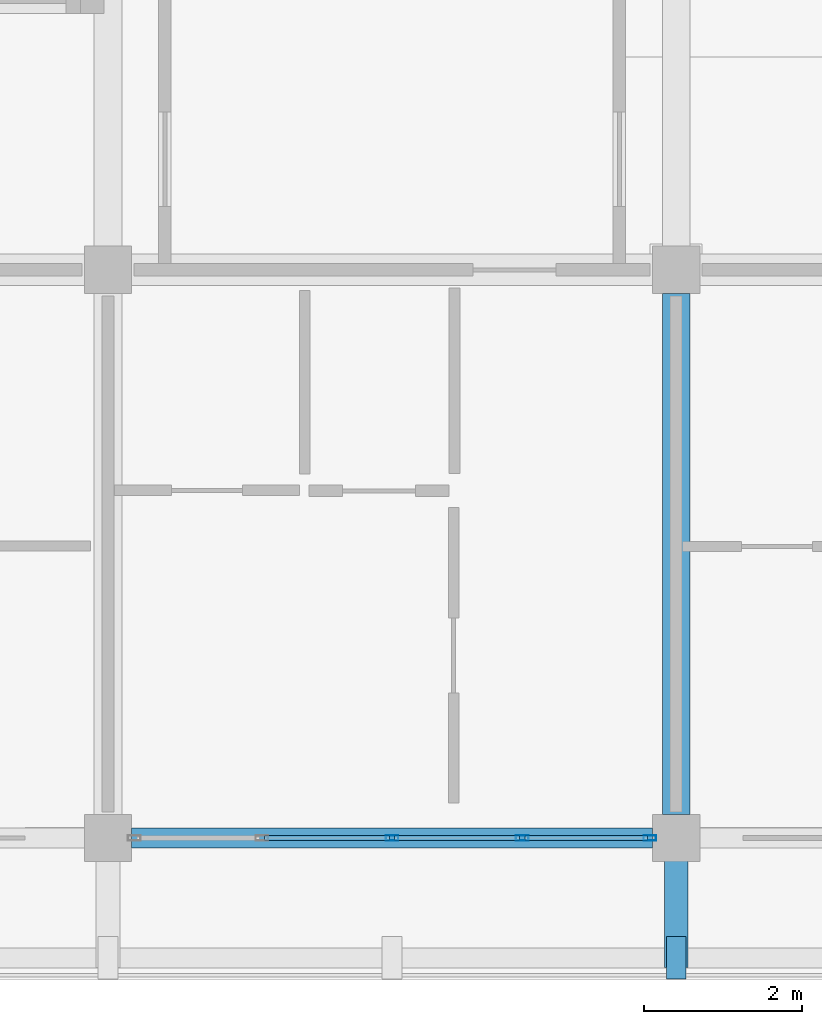
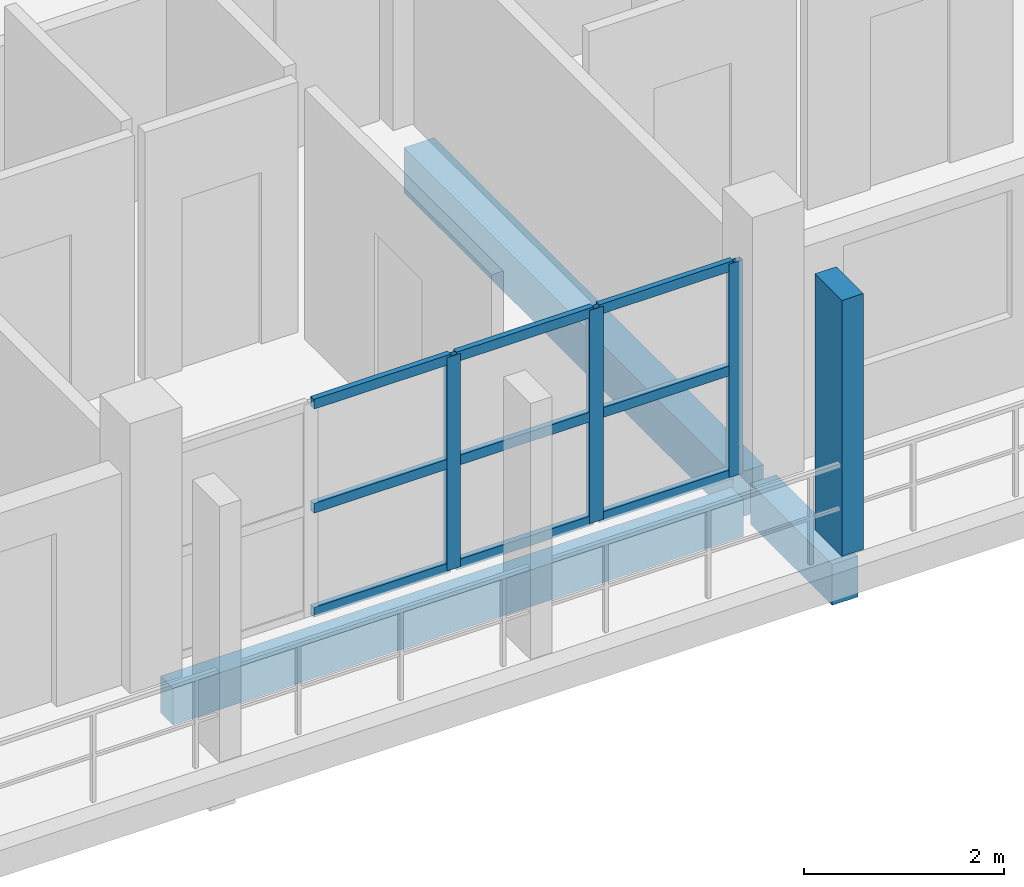
# One storey, part 26 of 75: 13 members, 3 beams, 1 element without a shape of its own.
"""IFC4 building model written with IfcOpenShell, lengths in metres."""

from ifc_helpers import new_model, si_unit, direction, frame, origin, origin_2d, place, context, subcontext, project, spatial, rectangle, hollow_rectangle, extrude, material, material_profile, profile_set, type_object, element, aggregate, save


model = new_model("IFC4")

# Units and contexts
model_context = context("Model", 3, precision=1e-05, world=origin(), true_north=direction((0.0, 1.0)))
body_context = subcontext(model_context, "Body", "Model", "MODEL_VIEW")
ifc_project = project(units=[si_unit("LENGTHUNIT", "METRE"), si_unit("AREAUNIT", "SQUARE_METRE"), si_unit("VOLUMEUNIT", "CUBIC_METRE"), si_unit("PLANEANGLEUNIT", "RADIAN"), si_unit("MASSUNIT", "GRAM", prefix="KILO")], contexts=[model_context])

# Site, building, storey
site_placement = place(None, origin())
site = spatial("IfcSite", under=ifc_project, at=site_placement, CompositionType="ELEMENT")
building_placement = place(site_placement, origin())
building = spatial("IfcBuilding", under=site, at=building_placement, Name="Suanplinth Sawtooth Commons", CompositionType="ELEMENT")
storey_placement = place(building_placement, frame((0.0, 0.0, 18.60009765625)))
storey = spatial("IfcBuildingStorey", under=building, at=storey_placement, Name="L05", CompositionType="ELEMENT", Elevation=18.60009765625)

# Beams
ifc_material_1 = material(Name="Precast concrete C40/50", Category="concrete")
ifc_material_profile_1 = material_profile(ifc_material_1, rectangle(XDim=0.35009765625, YDim=0.550048828125, at=origin_2d()), Name="PC-BM 350x550")
ifc_profile_set_1 = profile_set([ifc_material_profile_1], Name="Precast concrete C40/50")
beam_type_1 = type_object("IfcBeamType", Name="B-06", PredefinedType="BEAM", material=ifc_profile_set_1)
beam_1_placement = place(storey_placement, frame((172.800048828125, 0.300048828125, -0.525146484375), z_axis=(0.0, 1.0, 0.0), x_axis=(-1.0, 0.0, 0.0)))
element("IfcBeam", 1, at=beam_1_placement, inside=storey, type_object=beam_type_1, Name="BMY-L05-C-24-0", PredefinedType="BEAM", context=body_context, shape_type="SweptSolid", body=[
    extrude(rectangle(XDim=0.35009765625, YDim=0.550048828125, at=origin_2d()), origin(), (0.0, 0.0, 1.0), 6.599853515625),
])
ifc_material_profile_2 = material_profile(ifc_material_1, rectangle(XDim=0.300048828125, YDim=0.5, at=origin_2d()), Name="PC-BM 300x500")
ifc_profile_set_2 = profile_set([ifc_material_profile_2], Name="Precast concrete C40/50")
beam_type_2 = type_object("IfcBeamType", Name="B-07", PredefinedType="BEAM", material=ifc_profile_set_2)
beam_2_placement = place(storey_placement, frame((172.800048828125, 0.0, -0.43017578125), z_axis=(0.0, -1.0, 0.0), x_axis=(1.0, 0.0, 0.0)))
element("IfcBeam", 2, at=beam_2_placement, inside=storey, type_object=beam_type_2, Name="Balcony Outrigger L05-C-S-24", PredefinedType="BEAM", context=body_context, shape_type="SweptSolid", body=[
    extrude(rectangle(XDim=0.300048828125, YDim=0.5, at=origin_2d()), origin(), (0.0, 0.0, 1.0), 1.639892578125),
])
ifc_material_profile_3 = material_profile(ifc_material_1, rectangle(XDim=0.25, YDim=0.449951171875, at=origin_2d()), Name="PC-SP 250x450")
ifc_profile_set_3 = profile_set([ifc_material_profile_3], Name="Precast concrete C40/50")
beam_type_3 = type_object("IfcBeamType", Name="B-09", PredefinedType="SPANDREL", material=ifc_profile_set_3)
beam_3_placement = place(storey_placement, frame((165.89990234375, 0.0, -0.47509765625), z_axis=(1.0, 0.0, 0.0), x_axis=(0.0, 1.0, 0.0)))
element("IfcBeam", 3, at=beam_3_placement, inside=storey, type_object=beam_type_3, Name="BMX-L05-C-23-0", PredefinedType="SPANDREL", context=body_context, shape_type="SweptSolid", body=[
    extrude(rectangle(XDim=0.25, YDim=0.449951171875, at=origin_2d()), origin(), (0.0, 0.0, 1.0), 6.60009765625),
])

# Member
ifc_material_2 = material(Name="Pigmented precast concrete C40/50", Category="concrete")
ifc_material_profile_4 = material_profile(ifc_material_2, rectangle(XDim=0.25, YDim=0.5400390625, at=origin_2d()), Name="PC-FIN 250x540")
ifc_profile_set_4 = profile_set([ifc_material_profile_4], Name="Pigmented precast concrete C40/50")
member_type_1 = type_object("IfcMemberType", Name="M-11", PredefinedType="USERDEFINED", material=ifc_profile_set_4)
member_1_placement = place(storey_placement, frame((172.800048828125, -1.52001953125, 0.0), z_axis=(0.0, 0.0, 1.0), x_axis=(1.0, 0.0, 0.0)))
element("IfcMember", 4, at=member_1_placement, inside=storey, type_object=member_type_1, Name="Upright Solar Blade L05-C-S-07", ObjectType="SHADING FIN", PredefinedType="USERDEFINED", context=body_context, shape_type="SweptSolid", body=[
    extrude(rectangle(XDim=0.25, YDim=0.5400390625, at=origin_2d()), origin(), (0.0, 0.0, 1.0), 3.1298828125),
])

# Curtain wall, members
ifc_material_3 = material(Name="Anodized aluminium and low-E glazing", Category="aluminium")
curtain_wall_type = type_object("IfcCurtainWallType", Name="CW-06", PredefinedType="USERDEFINED", material=ifc_material_3)
curtain_wall_placement = place(storey_placement, origin())
curtain_wall = element("IfcCurtainWall", 5, at=curtain_wall_placement, inside=storey, type_object=curtain_wall_type, Name="Curtain Wall CW-L05-C-LOUNGE-23", ObjectType="CURTAIN WALL", PredefinedType="USERDEFINED")
ifc_material_4 = material(Name="Anodized aluminium 6063-T6", Category="aluminium")
ifc_material_profile_5 = material_profile(ifc_material_4, hollow_rectangle(XDim=0.06494140625, YDim=0.159912109375, WallThickness=0.00390625, at=origin_2d()), Name="ALU-MUL 65x160")
ifc_profile_set_5 = profile_set([ifc_material_profile_5], Name="Anodized aluminium 6063-T6")
member_type_2 = type_object("IfcMemberType", Name="M-13", PredefinedType="MULLION", material=ifc_profile_set_5)
member_2_placement = place(storey_placement, frame((169.199951171875, 0.0, 0.0), z_axis=(0.0, 0.0, 1.0), x_axis=(0.0, 1.0, 0.0)))
member_2 = element("IfcMember", 6, at=member_2_placement, type_object=member_type_2, Name="CW-06 mullion 3", PredefinedType="MULLION", context=body_context, shape_type="SweptSolid", body=[
    extrude(hollow_rectangle(XDim=0.06494140625, YDim=0.159912109375, WallThickness=0.00390625, at=origin_2d()), origin(), (0.0, 0.0, 1.0), 2.60986328125),
])
member_3_placement = place(storey_placement, frame((170.85009765625, 0.0, 0.0), z_axis=(0.0, 0.0, 1.0), x_axis=(0.0, 1.0, 0.0)))
member_3 = element("IfcMember", 7, at=member_3_placement, type_object=member_type_2, Name="CW-06 mullion 4", PredefinedType="MULLION", context=body_context, shape_type="SweptSolid", body=[
    extrude(hollow_rectangle(XDim=0.06494140625, YDim=0.159912109375, WallThickness=0.00390625, at=origin_2d()), origin(), (0.0, 0.0, 1.0), 2.60986328125),
])
member_4_placement = place(storey_placement, frame((172.467529296875, 0.0, 0.0), z_axis=(0.0, 0.0, 1.0), x_axis=(0.0, 1.0, 0.0)))
member_4 = element("IfcMember", 8, at=member_4_placement, type_object=member_type_2, Name="CW-06 mullion 5", PredefinedType="MULLION", context=body_context, shape_type="SweptSolid", body=[
    extrude(hollow_rectangle(XDim=0.06494140625, YDim=0.159912109375, WallThickness=0.00390625, at=origin_2d()), origin(), (0.0, 0.0, 1.0), 2.60986328125),
])
ifc_material_profile_6 = material_profile(ifc_material_4, hollow_rectangle(XDim=0.06494140625, YDim=0.1201171875, WallThickness=0.00390625, at=origin_2d()), Name="ALU-TRN 65x120")
ifc_profile_set_6 = profile_set([ifc_material_profile_6], Name="Anodized aluminium 6063-T6")
member_type_3 = type_object("IfcMemberType", Name="M-15", PredefinedType="USERDEFINED", material=ifc_profile_set_6)
member_5_placement = place(storey_placement, frame((167.58251953125, 0.0, 0.032470703125), z_axis=(1.0, 0.0, 0.0), x_axis=(0.0, 1.0, 0.0)))
member_5 = element("IfcMember", 9, at=member_5_placement, type_object=member_type_3, Name="CW-06 transom 2.1", ObjectType="TRANSOM", PredefinedType="USERDEFINED", context=body_context, shape_type="SweptSolid", body=[
    extrude(hollow_rectangle(XDim=0.06494140625, YDim=0.1201171875, WallThickness=0.00390625, at=origin_2d()), origin(), (0.0, 0.0, 1.0), 1.5849609375),
])
member_6_placement = place(storey_placement, frame((167.58251953125, 0.0, 1.304931640625), z_axis=(1.0, 0.0, 0.0), x_axis=(0.0, 1.0, 0.0)))
member_6 = element("IfcMember", 10, at=member_6_placement, type_object=member_type_3, Name="CW-06 transom 2.2", ObjectType="TRANSOM", PredefinedType="USERDEFINED", context=body_context, shape_type="SweptSolid", body=[
    extrude(hollow_rectangle(XDim=0.06494140625, YDim=0.1201171875, WallThickness=0.00390625, at=origin_2d()), origin(), (0.0, 0.0, 1.0), 1.5849609375),
])
member_7_placement = place(storey_placement, frame((167.58251953125, 0.0, 2.577392578125), z_axis=(1.0, 0.0, 0.0), x_axis=(0.0, 1.0, 0.0)))
member_7 = element("IfcMember", 11, at=member_7_placement, type_object=member_type_3, Name="CW-06 transom 2.3", ObjectType="TRANSOM", PredefinedType="USERDEFINED", context=body_context, shape_type="SweptSolid", body=[
    extrude(hollow_rectangle(XDim=0.06494140625, YDim=0.1201171875, WallThickness=0.00390625, at=origin_2d()), origin(), (0.0, 0.0, 1.0), 1.5849609375),
])
member_8_placement = place(storey_placement, frame((169.232421875, 0.0, 0.032470703125), z_axis=(1.0, 0.0, 0.0), x_axis=(0.0, 1.0, 0.0)))
member_8 = element("IfcMember", 12, at=member_8_placement, type_object=member_type_3, Name="CW-06 transom 3.1", ObjectType="TRANSOM", PredefinedType="USERDEFINED", context=body_context, shape_type="SweptSolid", body=[
    extrude(hollow_rectangle(XDim=0.06494140625, YDim=0.1201171875, WallThickness=0.00390625, at=origin_2d()), origin(), (0.0, 0.0, 1.0), 1.5849609375),
])
member_9_placement = place(storey_placement, frame((169.232421875, 0.0, 1.304931640625), z_axis=(1.0, 0.0, 0.0), x_axis=(0.0, 1.0, 0.0)))
member_9 = element("IfcMember", 13, at=member_9_placement, type_object=member_type_3, Name="CW-06 transom 3.2", ObjectType="TRANSOM", PredefinedType="USERDEFINED", context=body_context, shape_type="SweptSolid", body=[
    extrude(hollow_rectangle(XDim=0.06494140625, YDim=0.1201171875, WallThickness=0.00390625, at=origin_2d()), origin(), (0.0, 0.0, 1.0), 1.5849609375),
])
member_10_placement = place(storey_placement, frame((169.232421875, 0.0, 2.577392578125), z_axis=(1.0, 0.0, 0.0), x_axis=(0.0, 1.0, 0.0)))
member_10 = element("IfcMember", 14, at=member_10_placement, type_object=member_type_3, Name="CW-06 transom 3.3", ObjectType="TRANSOM", PredefinedType="USERDEFINED", context=body_context, shape_type="SweptSolid", body=[
    extrude(hollow_rectangle(XDim=0.06494140625, YDim=0.1201171875, WallThickness=0.00390625, at=origin_2d()), origin(), (0.0, 0.0, 1.0), 1.5849609375),
])
member_11_placement = place(storey_placement, frame((170.882568359375, 0.0, 0.032470703125), z_axis=(1.0, 0.0, 0.0), x_axis=(0.0, 1.0, 0.0)))
member_11 = element("IfcMember", 15, at=member_11_placement, type_object=member_type_3, Name="CW-06 transom 4.1", ObjectType="TRANSOM", PredefinedType="USERDEFINED", context=body_context, shape_type="SweptSolid", body=[
    extrude(hollow_rectangle(XDim=0.06494140625, YDim=0.1201171875, WallThickness=0.00390625, at=origin_2d()), origin(), (0.0, 0.0, 1.0), 1.552490234375),
])
member_12_placement = place(storey_placement, frame((170.882568359375, 0.0, 1.304931640625), z_axis=(1.0, 0.0, 0.0), x_axis=(0.0, 1.0, 0.0)))
member_12 = element("IfcMember", 16, at=member_12_placement, type_object=member_type_3, Name="CW-06 transom 4.2", ObjectType="TRANSOM", PredefinedType="USERDEFINED", context=body_context, shape_type="SweptSolid", body=[
    extrude(hollow_rectangle(XDim=0.06494140625, YDim=0.1201171875, WallThickness=0.00390625, at=origin_2d()), origin(), (0.0, 0.0, 1.0), 1.552490234375),
])
member_13_placement = place(storey_placement, frame((170.882568359375, 0.0, 2.577392578125), z_axis=(1.0, 0.0, 0.0), x_axis=(0.0, 1.0, 0.0)))
member_13 = element("IfcMember", 17, at=member_13_placement, type_object=member_type_3, Name="CW-06 transom 4.3", ObjectType="TRANSOM", PredefinedType="USERDEFINED", context=body_context, shape_type="SweptSolid", body=[
    extrude(hollow_rectangle(XDim=0.06494140625, YDim=0.1201171875, WallThickness=0.00390625, at=origin_2d()), origin(), (0.0, 0.0, 1.0), 1.552490234375),
])
aggregate(curtain_wall, [member_2, member_3, member_4, member_5, member_6, member_7, member_8, member_9, member_10, member_11, member_12, member_13])

save(model, "model.ifc")
